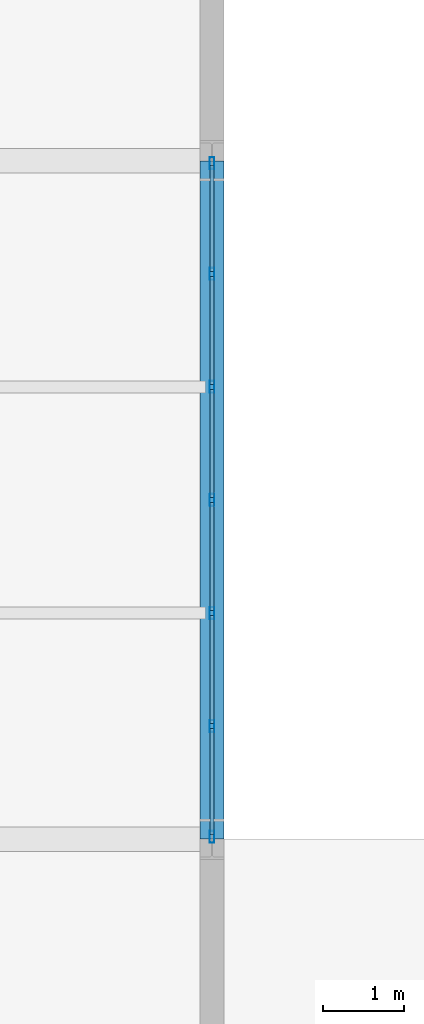
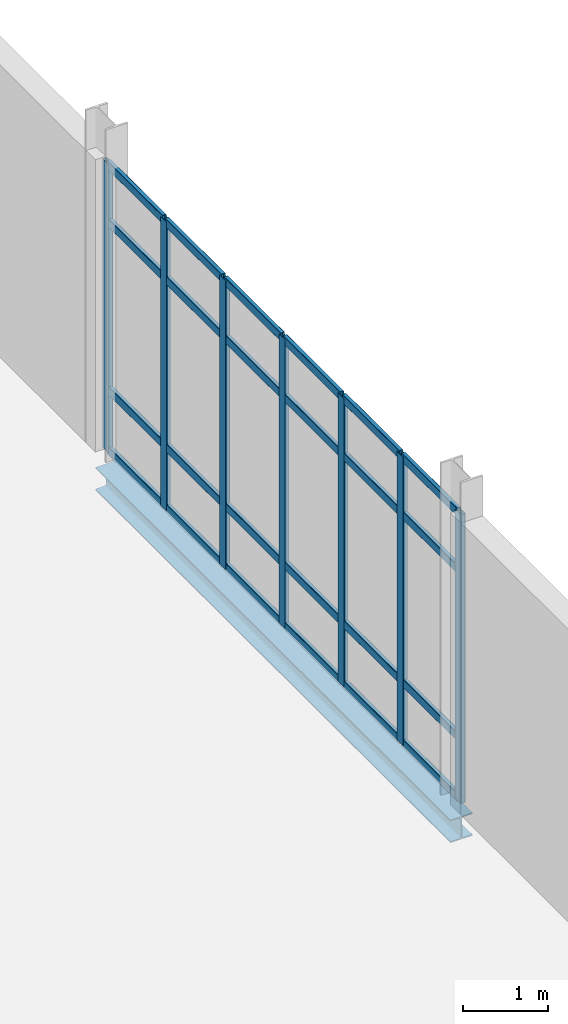
# One storey, part 68 of 145: 31 members, 1 beam, 1 element without a shape of its own.
"""IFC4 building model written with IfcOpenShell, lengths in metres."""

from ifc_helpers import new_model, si_unit, direction, frame, origin, origin_2d, place, context, subcontext, project, spatial, hollow_rectangle, i_section, extrude, material, layer, layer_set, material_profile, profile_set, type_object, element, aggregate, save


model = new_model("IFC4")

# Units and contexts
model_context = context("Model", 3, precision=1e-05, world=origin(), true_north=direction((0.0, 1.0)))
body_context = subcontext(model_context, "Body", "Model", "MODEL_VIEW")
ifc_project = project(units=[si_unit("LENGTHUNIT", "METRE"), si_unit("AREAUNIT", "SQUARE_METRE"), si_unit("VOLUMEUNIT", "CUBIC_METRE"), si_unit("PLANEANGLEUNIT", "RADIAN"), si_unit("MASSUNIT", "GRAM", prefix="KILO")], contexts=[model_context])

# Site, building, storey
site_placement = place(None, origin())
site = spatial("IfcSite", under=ifc_project, at=site_placement, CompositionType="ELEMENT")
building_placement = place(site_placement, origin())
building = spatial("IfcBuilding", under=site, at=building_placement, Name="Qalvenar Corner Mobility Hub", CompositionType="ELEMENT")
storey_placement = place(building_placement, origin())
storey = spatial("IfcBuildingStorey", under=building, at=storey_placement, Name="L00", CompositionType="ELEMENT", Elevation=0.0)

# Beam
ifc_material_1 = material(Name="Steel S355", Category="steel")
ifc_material_profile_1 = material_profile(ifc_material_1, i_section(OverallWidth=0.300048828125, OverallDepth=0.330078125, WebThickness=0.009521484375, FlangeThickness=0.0166015625, FilletRadius=0.027099609375, at=origin_2d()), Name="HEA340")
ifc_profile_set_1 = profile_set([ifc_material_profile_1], Name="Steel S355")
beam_type = type_object("IfcBeamType", Name="BM-SPN340", PredefinedType="SPANDREL", material=ifc_profile_set_1)
beam_placement = place(storey_placement, frame((33.60009765625, 67.199951171875, -0.385009765625), z_axis=(0.0, 1.0, 0.0), x_axis=(-1.0, 0.0, 0.0)))
element("IfcBeam", 1, at=beam_placement, inside=storey, type_object=beam_type, Name="Primary Steel Girder GY-0474", PredefinedType="SPANDREL", context=body_context, shape_type="SweptSolid", body=[
    extrude(i_section(OverallWidth=0.300048828125, OverallDepth=0.330078125, WebThickness=0.009521484375, FlangeThickness=0.0166015625, FilletRadius=0.027099609375, at=origin_2d()), origin(), (0.0, 0.0, 1.0), 8.400146484375),
])

# Curtain wall, members
ifc_material_2 = material(Name="Anodised Aluminium and Low-E Glazing", Category="aluminium")
ifc_layer = layer(ifc_material_2, 0.14990234375)
ifc_layer_set = layer_set([ifc_layer], Name="Anodised Aluminium and Low-E Glazing")
curtain_wall_type = type_object("IfcCurtainWallType", Name="CW-CYC-84X39", PredefinedType="NOTDEFINED", material=ifc_layer_set)
curtain_wall_placement = place(storey_placement, origin())
curtain_wall = element("IfcCurtainWall", 2, at=curtain_wall_placement, inside=storey, type_object=curtain_wall_type, Name="Glazed Curtain Wall CW-V5-L00-E3", PredefinedType="NOTDEFINED")
ifc_material_3 = material(Name="Anodised Aluminium 6063-T6", Category="aluminium")
ifc_material_profile_2 = material_profile(ifc_material_3, hollow_rectangle(XDim=0.06005859375, YDim=0.14990234375, WallThickness=0.00390625, InnerFilletRadius=0.00390625, OuterFilletRadius=0.008056640625, at=origin_2d()), Name="RHS150x60x4")
ifc_profile_set_2 = profile_set([ifc_material_profile_2], Name="Anodised Aluminium 6063-T6")
member_type_1 = type_object("IfcMemberType", Name="CW-MUL150", PredefinedType="MULLION", material=ifc_profile_set_2)
member_1_placement = place(storey_placement, frame((33.60009765625, 67.22998046875, 0.0), z_axis=(0.0, 0.0, 1.0), x_axis=(-1.0, 0.0, 0.0)))
member_1 = element("IfcMember", 3, at=member_1_placement, type_object=member_type_1, Name="CW-08 mullion 1", PredefinedType="MULLION", context=body_context, shape_type="SweptSolid", body=[
    extrude(hollow_rectangle(XDim=0.06005859375, YDim=0.14990234375, WallThickness=0.00390625, InnerFilletRadius=0.00390625, OuterFilletRadius=0.008056640625, at=origin_2d()), origin(), (0.0, 0.0, 1.0), 4.169921875),
])
member_2_placement = place(storey_placement, frame((33.60009765625, 68.60009765625, 0.0), z_axis=(0.0, 0.0, 1.0), x_axis=(-1.0, 0.0, 0.0)))
member_2 = element("IfcMember", 4, at=member_2_placement, type_object=member_type_1, Name="CW-08 mullion 2", PredefinedType="MULLION", context=body_context, shape_type="SweptSolid", body=[
    extrude(hollow_rectangle(XDim=0.06005859375, YDim=0.14990234375, WallThickness=0.00390625, InnerFilletRadius=0.00390625, OuterFilletRadius=0.008056640625, at=origin_2d()), origin(), (0.0, 0.0, 1.0), 4.169921875),
])
member_3_placement = place(storey_placement, frame((33.60009765625, 70.0, 0.0), z_axis=(0.0, 0.0, 1.0), x_axis=(-1.0, 0.0, 0.0)))
member_3 = element("IfcMember", 5, at=member_3_placement, type_object=member_type_1, Name="CW-08 mullion 3", PredefinedType="MULLION", context=body_context, shape_type="SweptSolid", body=[
    extrude(hollow_rectangle(XDim=0.06005859375, YDim=0.14990234375, WallThickness=0.00390625, InnerFilletRadius=0.00390625, OuterFilletRadius=0.008056640625, at=origin_2d()), origin(), (0.0, 0.0, 1.0), 4.169921875),
])
member_4_placement = place(storey_placement, frame((33.60009765625, 71.39990234375, 0.0), z_axis=(0.0, 0.0, 1.0), x_axis=(-1.0, 0.0, 0.0)))
member_4 = element("IfcMember", 6, at=member_4_placement, type_object=member_type_1, Name="CW-08 mullion 4", PredefinedType="MULLION", context=body_context, shape_type="SweptSolid", body=[
    extrude(hollow_rectangle(XDim=0.06005859375, YDim=0.14990234375, WallThickness=0.00390625, InnerFilletRadius=0.00390625, OuterFilletRadius=0.008056640625, at=origin_2d()), origin(), (0.0, 0.0, 1.0), 4.169921875),
])
member_5_placement = place(storey_placement, frame((33.60009765625, 72.800048828125, 0.0), z_axis=(0.0, 0.0, 1.0), x_axis=(-1.0, 0.0, 0.0)))
member_5 = element("IfcMember", 7, at=member_5_placement, type_object=member_type_1, Name="CW-08 mullion 5", PredefinedType="MULLION", context=body_context, shape_type="SweptSolid", body=[
    extrude(hollow_rectangle(XDim=0.06005859375, YDim=0.14990234375, WallThickness=0.00390625, InnerFilletRadius=0.00390625, OuterFilletRadius=0.008056640625, at=origin_2d()), origin(), (0.0, 0.0, 1.0), 4.169921875),
])
member_6_placement = place(storey_placement, frame((33.60009765625, 74.199951171875, 0.0), z_axis=(0.0, 0.0, 1.0), x_axis=(-1.0, 0.0, 0.0)))
member_6 = element("IfcMember", 8, at=member_6_placement, type_object=member_type_1, Name="CW-08 mullion 6", PredefinedType="MULLION", context=body_context, shape_type="SweptSolid", body=[
    extrude(hollow_rectangle(XDim=0.06005859375, YDim=0.14990234375, WallThickness=0.00390625, InnerFilletRadius=0.00390625, OuterFilletRadius=0.008056640625, at=origin_2d()), origin(), (0.0, 0.0, 1.0), 4.169921875),
])
member_7_placement = place(storey_placement, frame((33.60009765625, 75.570068359375, 0.0), z_axis=(0.0, 0.0, 1.0), x_axis=(-1.0, 0.0, 0.0)))
member_7 = element("IfcMember", 9, at=member_7_placement, type_object=member_type_1, Name="CW-08 mullion 7", PredefinedType="MULLION", context=body_context, shape_type="SweptSolid", body=[
    extrude(hollow_rectangle(XDim=0.06005859375, YDim=0.14990234375, WallThickness=0.00390625, InnerFilletRadius=0.00390625, OuterFilletRadius=0.008056640625, at=origin_2d()), origin(), (0.0, 0.0, 1.0), 4.169921875),
])
ifc_material_profile_3 = material_profile(ifc_material_3, hollow_rectangle(XDim=0.054931640625, YDim=0.1201171875, WallThickness=0.00341796875, InnerFilletRadius=0.00341796875, OuterFilletRadius=0.007080078125, at=origin_2d()), Name="RHS120x55x3.5")
ifc_profile_set_3 = profile_set([ifc_material_profile_3], Name="Anodised Aluminium 6063-T6")
member_type_2 = type_object("IfcMemberType", Name="CW-TRN120", PredefinedType="USERDEFINED", material=ifc_profile_set_3)
member_8_placement = place(storey_placement, frame((33.60009765625, 67.260009765625, 0.027587890625), z_axis=(0.0, 1.0, 0.0), x_axis=(-1.0, 0.0, 0.0)))
member_8 = element("IfcMember", 10, at=member_8_placement, type_object=member_type_2, Name="CW-08 transom 1.1", ObjectType="TRANSOM", PredefinedType="USERDEFINED", context=body_context, shape_type="SweptSolid", body=[
    extrude(hollow_rectangle(XDim=0.054931640625, YDim=0.1201171875, WallThickness=0.00341796875, InnerFilletRadius=0.00341796875, OuterFilletRadius=0.007080078125, at=origin_2d()), origin(), (0.0, 0.0, 1.0), 1.31005859375),
])
member_9_placement = place(storey_placement, frame((33.60009765625, 67.260009765625, 0.89990234375), z_axis=(0.0, 1.0, 0.0), x_axis=(-1.0, 0.0, 0.0)))
member_9 = element("IfcMember", 11, at=member_9_placement, type_object=member_type_2, Name="CW-08 transom 1.2", ObjectType="TRANSOM", PredefinedType="USERDEFINED", context=body_context, shape_type="SweptSolid", body=[
    extrude(hollow_rectangle(XDim=0.054931640625, YDim=0.1201171875, WallThickness=0.00341796875, InnerFilletRadius=0.00341796875, OuterFilletRadius=0.007080078125, at=origin_2d()), origin(), (0.0, 0.0, 1.0), 1.31005859375),
])
member_10_placement = place(storey_placement, frame((33.60009765625, 67.260009765625, 3.320068359375), z_axis=(0.0, 1.0, 0.0), x_axis=(-1.0, 0.0, 0.0)))
member_10 = element("IfcMember", 12, at=member_10_placement, type_object=member_type_2, Name="CW-08 transom 1.3", ObjectType="TRANSOM", PredefinedType="USERDEFINED", context=body_context, shape_type="SweptSolid", body=[
    extrude(hollow_rectangle(XDim=0.054931640625, YDim=0.1201171875, WallThickness=0.00341796875, InnerFilletRadius=0.00341796875, OuterFilletRadius=0.007080078125, at=origin_2d()), origin(), (0.0, 0.0, 1.0), 1.31005859375),
])
member_11_placement = place(storey_placement, frame((33.60009765625, 67.260009765625, 4.142578125), z_axis=(0.0, 1.0, 0.0), x_axis=(-1.0, 0.0, 0.0)))
member_11 = element("IfcMember", 13, at=member_11_placement, type_object=member_type_2, Name="CW-08 transom 1.4", ObjectType="TRANSOM", PredefinedType="USERDEFINED", context=body_context, shape_type="SweptSolid", body=[
    extrude(hollow_rectangle(XDim=0.054931640625, YDim=0.1201171875, WallThickness=0.00341796875, InnerFilletRadius=0.00341796875, OuterFilletRadius=0.007080078125, at=origin_2d()), origin(), (0.0, 0.0, 1.0), 1.31005859375),
])
member_12_placement = place(storey_placement, frame((33.60009765625, 68.6298828125, 0.027587890625), z_axis=(0.0, 1.0, 0.0), x_axis=(-1.0, 0.0, 0.0)))
member_12 = element("IfcMember", 14, at=member_12_placement, type_object=member_type_2, Name="CW-08 transom 2.1", ObjectType="TRANSOM", PredefinedType="USERDEFINED", context=body_context, shape_type="SweptSolid", body=[
    extrude(hollow_rectangle(XDim=0.054931640625, YDim=0.1201171875, WallThickness=0.00341796875, InnerFilletRadius=0.00341796875, OuterFilletRadius=0.007080078125, at=origin_2d()), origin(), (0.0, 0.0, 1.0), 1.340087890625),
])
member_13_placement = place(storey_placement, frame((33.60009765625, 68.6298828125, 0.89990234375), z_axis=(0.0, 1.0, 0.0), x_axis=(-1.0, 0.0, 0.0)))
member_13 = element("IfcMember", 15, at=member_13_placement, type_object=member_type_2, Name="CW-08 transom 2.2", ObjectType="TRANSOM", PredefinedType="USERDEFINED", context=body_context, shape_type="SweptSolid", body=[
    extrude(hollow_rectangle(XDim=0.054931640625, YDim=0.1201171875, WallThickness=0.00341796875, InnerFilletRadius=0.00341796875, OuterFilletRadius=0.007080078125, at=origin_2d()), origin(), (0.0, 0.0, 1.0), 1.340087890625),
])
member_14_placement = place(storey_placement, frame((33.60009765625, 68.6298828125, 3.320068359375), z_axis=(0.0, 1.0, 0.0), x_axis=(-1.0, 0.0, 0.0)))
member_14 = element("IfcMember", 16, at=member_14_placement, type_object=member_type_2, Name="CW-08 transom 2.3", ObjectType="TRANSOM", PredefinedType="USERDEFINED", context=body_context, shape_type="SweptSolid", body=[
    extrude(hollow_rectangle(XDim=0.054931640625, YDim=0.1201171875, WallThickness=0.00341796875, InnerFilletRadius=0.00341796875, OuterFilletRadius=0.007080078125, at=origin_2d()), origin(), (0.0, 0.0, 1.0), 1.340087890625),
])
member_15_placement = place(storey_placement, frame((33.60009765625, 68.6298828125, 4.142578125), z_axis=(0.0, 1.0, 0.0), x_axis=(-1.0, 0.0, 0.0)))
member_15 = element("IfcMember", 17, at=member_15_placement, type_object=member_type_2, Name="CW-08 transom 2.4", ObjectType="TRANSOM", PredefinedType="USERDEFINED", context=body_context, shape_type="SweptSolid", body=[
    extrude(hollow_rectangle(XDim=0.054931640625, YDim=0.1201171875, WallThickness=0.00341796875, InnerFilletRadius=0.00341796875, OuterFilletRadius=0.007080078125, at=origin_2d()), origin(), (0.0, 0.0, 1.0), 1.340087890625),
])
member_16_placement = place(storey_placement, frame((33.60009765625, 70.030029296875, 0.027587890625), z_axis=(0.0, 1.0, 0.0), x_axis=(-1.0, 0.0, 0.0)))
member_16 = element("IfcMember", 18, at=member_16_placement, type_object=member_type_2, Name="CW-08 transom 3.1", ObjectType="TRANSOM", PredefinedType="USERDEFINED", context=body_context, shape_type="SweptSolid", body=[
    extrude(hollow_rectangle(XDim=0.054931640625, YDim=0.1201171875, WallThickness=0.00341796875, InnerFilletRadius=0.00341796875, OuterFilletRadius=0.007080078125, at=origin_2d()), origin(), (0.0, 0.0, 1.0), 1.340087890625),
])
member_17_placement = place(storey_placement, frame((33.60009765625, 70.030029296875, 0.89990234375), z_axis=(0.0, 1.0, 0.0), x_axis=(-1.0, 0.0, 0.0)))
member_17 = element("IfcMember", 19, at=member_17_placement, type_object=member_type_2, Name="CW-08 transom 3.2", ObjectType="TRANSOM", PredefinedType="USERDEFINED", context=body_context, shape_type="SweptSolid", body=[
    extrude(hollow_rectangle(XDim=0.054931640625, YDim=0.1201171875, WallThickness=0.00341796875, InnerFilletRadius=0.00341796875, OuterFilletRadius=0.007080078125, at=origin_2d()), origin(), (0.0, 0.0, 1.0), 1.340087890625),
])
member_18_placement = place(storey_placement, frame((33.60009765625, 70.030029296875, 3.320068359375), z_axis=(0.0, 1.0, 0.0), x_axis=(-1.0, 0.0, 0.0)))
member_18 = element("IfcMember", 20, at=member_18_placement, type_object=member_type_2, Name="CW-08 transom 3.3", ObjectType="TRANSOM", PredefinedType="USERDEFINED", context=body_context, shape_type="SweptSolid", body=[
    extrude(hollow_rectangle(XDim=0.054931640625, YDim=0.1201171875, WallThickness=0.00341796875, InnerFilletRadius=0.00341796875, OuterFilletRadius=0.007080078125, at=origin_2d()), origin(), (0.0, 0.0, 1.0), 1.340087890625),
])
member_19_placement = place(storey_placement, frame((33.60009765625, 70.030029296875, 4.142578125), z_axis=(0.0, 1.0, 0.0), x_axis=(-1.0, 0.0, 0.0)))
member_19 = element("IfcMember", 21, at=member_19_placement, type_object=member_type_2, Name="CW-08 transom 3.4", ObjectType="TRANSOM", PredefinedType="USERDEFINED", context=body_context, shape_type="SweptSolid", body=[
    extrude(hollow_rectangle(XDim=0.054931640625, YDim=0.1201171875, WallThickness=0.00341796875, InnerFilletRadius=0.00341796875, OuterFilletRadius=0.007080078125, at=origin_2d()), origin(), (0.0, 0.0, 1.0), 1.340087890625),
])
member_20_placement = place(storey_placement, frame((33.60009765625, 71.429931640625, 0.027587890625), z_axis=(0.0, 1.0, 0.0), x_axis=(-1.0, 0.0, 0.0)))
member_20 = element("IfcMember", 22, at=member_20_placement, type_object=member_type_2, Name="CW-08 transom 4.1", ObjectType="TRANSOM", PredefinedType="USERDEFINED", context=body_context, shape_type="SweptSolid", body=[
    extrude(hollow_rectangle(XDim=0.054931640625, YDim=0.1201171875, WallThickness=0.00341796875, InnerFilletRadius=0.00341796875, OuterFilletRadius=0.007080078125, at=origin_2d()), origin(), (0.0, 0.0, 1.0), 1.340087890625),
])
member_21_placement = place(storey_placement, frame((33.60009765625, 71.429931640625, 0.89990234375), z_axis=(0.0, 1.0, 0.0), x_axis=(-1.0, 0.0, 0.0)))
member_21 = element("IfcMember", 23, at=member_21_placement, type_object=member_type_2, Name="CW-08 transom 4.2", ObjectType="TRANSOM", PredefinedType="USERDEFINED", context=body_context, shape_type="SweptSolid", body=[
    extrude(hollow_rectangle(XDim=0.054931640625, YDim=0.1201171875, WallThickness=0.00341796875, InnerFilletRadius=0.00341796875, OuterFilletRadius=0.007080078125, at=origin_2d()), origin(), (0.0, 0.0, 1.0), 1.340087890625),
])
member_22_placement = place(storey_placement, frame((33.60009765625, 71.429931640625, 3.320068359375), z_axis=(0.0, 1.0, 0.0), x_axis=(-1.0, 0.0, 0.0)))
member_22 = element("IfcMember", 24, at=member_22_placement, type_object=member_type_2, Name="CW-08 transom 4.3", ObjectType="TRANSOM", PredefinedType="USERDEFINED", context=body_context, shape_type="SweptSolid", body=[
    extrude(hollow_rectangle(XDim=0.054931640625, YDim=0.1201171875, WallThickness=0.00341796875, InnerFilletRadius=0.00341796875, OuterFilletRadius=0.007080078125, at=origin_2d()), origin(), (0.0, 0.0, 1.0), 1.340087890625),
])
member_23_placement = place(storey_placement, frame((33.60009765625, 71.429931640625, 4.142578125), z_axis=(0.0, 1.0, 0.0), x_axis=(-1.0, 0.0, 0.0)))
member_23 = element("IfcMember", 25, at=member_23_placement, type_object=member_type_2, Name="CW-08 transom 4.4", ObjectType="TRANSOM", PredefinedType="USERDEFINED", context=body_context, shape_type="SweptSolid", body=[
    extrude(hollow_rectangle(XDim=0.054931640625, YDim=0.1201171875, WallThickness=0.00341796875, InnerFilletRadius=0.00341796875, OuterFilletRadius=0.007080078125, at=origin_2d()), origin(), (0.0, 0.0, 1.0), 1.340087890625),
])
member_24_placement = place(storey_placement, frame((33.60009765625, 72.830078125, 0.027587890625), z_axis=(0.0, 1.0, 0.0), x_axis=(-1.0, 0.0, 0.0)))
member_24 = element("IfcMember", 26, at=member_24_placement, type_object=member_type_2, Name="CW-08 transom 5.1", ObjectType="TRANSOM", PredefinedType="USERDEFINED", context=body_context, shape_type="SweptSolid", body=[
    extrude(hollow_rectangle(XDim=0.054931640625, YDim=0.1201171875, WallThickness=0.00341796875, InnerFilletRadius=0.00341796875, OuterFilletRadius=0.007080078125, at=origin_2d()), origin(), (0.0, 0.0, 1.0), 1.33984375),
])
member_25_placement = place(storey_placement, frame((33.60009765625, 72.830078125, 0.89990234375), z_axis=(0.0, 1.0, 0.0), x_axis=(-1.0, 0.0, 0.0)))
member_25 = element("IfcMember", 27, at=member_25_placement, type_object=member_type_2, Name="CW-08 transom 5.2", ObjectType="TRANSOM", PredefinedType="USERDEFINED", context=body_context, shape_type="SweptSolid", body=[
    extrude(hollow_rectangle(XDim=0.054931640625, YDim=0.1201171875, WallThickness=0.00341796875, InnerFilletRadius=0.00341796875, OuterFilletRadius=0.007080078125, at=origin_2d()), origin(), (0.0, 0.0, 1.0), 1.33984375),
])
member_26_placement = place(storey_placement, frame((33.60009765625, 72.830078125, 3.320068359375), z_axis=(0.0, 1.0, 0.0), x_axis=(-1.0, 0.0, 0.0)))
member_26 = element("IfcMember", 28, at=member_26_placement, type_object=member_type_2, Name="CW-08 transom 5.3", ObjectType="TRANSOM", PredefinedType="USERDEFINED", context=body_context, shape_type="SweptSolid", body=[
    extrude(hollow_rectangle(XDim=0.054931640625, YDim=0.1201171875, WallThickness=0.00341796875, InnerFilletRadius=0.00341796875, OuterFilletRadius=0.007080078125, at=origin_2d()), origin(), (0.0, 0.0, 1.0), 1.33984375),
])
member_27_placement = place(storey_placement, frame((33.60009765625, 72.830078125, 4.142578125), z_axis=(0.0, 1.0, 0.0), x_axis=(-1.0, 0.0, 0.0)))
member_27 = element("IfcMember", 29, at=member_27_placement, type_object=member_type_2, Name="CW-08 transom 5.4", ObjectType="TRANSOM", PredefinedType="USERDEFINED", context=body_context, shape_type="SweptSolid", body=[
    extrude(hollow_rectangle(XDim=0.054931640625, YDim=0.1201171875, WallThickness=0.00341796875, InnerFilletRadius=0.00341796875, OuterFilletRadius=0.007080078125, at=origin_2d()), origin(), (0.0, 0.0, 1.0), 1.33984375),
])
member_28_placement = place(storey_placement, frame((33.60009765625, 74.22998046875, 0.027587890625), z_axis=(0.0, 1.0, 0.0), x_axis=(-1.0, 0.0, 0.0)))
member_28 = element("IfcMember", 30, at=member_28_placement, type_object=member_type_2, Name="CW-08 transom 6.1", ObjectType="TRANSOM", PredefinedType="USERDEFINED", context=body_context, shape_type="SweptSolid", body=[
    extrude(hollow_rectangle(XDim=0.054931640625, YDim=0.1201171875, WallThickness=0.00341796875, InnerFilletRadius=0.00341796875, OuterFilletRadius=0.007080078125, at=origin_2d()), origin(), (0.0, 0.0, 1.0), 1.31005859375),
])
member_29_placement = place(storey_placement, frame((33.60009765625, 74.22998046875, 0.89990234375), z_axis=(0.0, 1.0, 0.0), x_axis=(-1.0, 0.0, 0.0)))
member_29 = element("IfcMember", 31, at=member_29_placement, type_object=member_type_2, Name="CW-08 transom 6.2", ObjectType="TRANSOM", PredefinedType="USERDEFINED", context=body_context, shape_type="SweptSolid", body=[
    extrude(hollow_rectangle(XDim=0.054931640625, YDim=0.1201171875, WallThickness=0.00341796875, InnerFilletRadius=0.00341796875, OuterFilletRadius=0.007080078125, at=origin_2d()), origin(), (0.0, 0.0, 1.0), 1.31005859375),
])
member_30_placement = place(storey_placement, frame((33.60009765625, 74.22998046875, 3.320068359375), z_axis=(0.0, 1.0, 0.0), x_axis=(-1.0, 0.0, 0.0)))
member_30 = element("IfcMember", 32, at=member_30_placement, type_object=member_type_2, Name="CW-08 transom 6.3", ObjectType="TRANSOM", PredefinedType="USERDEFINED", context=body_context, shape_type="SweptSolid", body=[
    extrude(hollow_rectangle(XDim=0.054931640625, YDim=0.1201171875, WallThickness=0.00341796875, InnerFilletRadius=0.00341796875, OuterFilletRadius=0.007080078125, at=origin_2d()), origin(), (0.0, 0.0, 1.0), 1.31005859375),
])
member_31_placement = place(storey_placement, frame((33.60009765625, 74.22998046875, 4.142578125), z_axis=(0.0, 1.0, 0.0), x_axis=(-1.0, 0.0, 0.0)))
member_31 = element("IfcMember", 33, at=member_31_placement, type_object=member_type_2, Name="CW-08 transom 6.4", ObjectType="TRANSOM", PredefinedType="USERDEFINED", context=body_context, shape_type="SweptSolid", body=[
    extrude(hollow_rectangle(XDim=0.054931640625, YDim=0.1201171875, WallThickness=0.00341796875, InnerFilletRadius=0.00341796875, OuterFilletRadius=0.007080078125, at=origin_2d()), origin(), (0.0, 0.0, 1.0), 1.31005859375),
])
aggregate(curtain_wall, [member_1, member_2, member_3, member_4, member_5, member_6, member_7, member_8, member_9, member_10, member_11, member_12, member_13, member_14, member_15, member_16, member_17, member_18, member_19, member_20, member_21, member_22, member_23, member_24, member_25, member_26, member_27, member_28, member_29, member_30, member_31])

save(model, "model.ifc")
